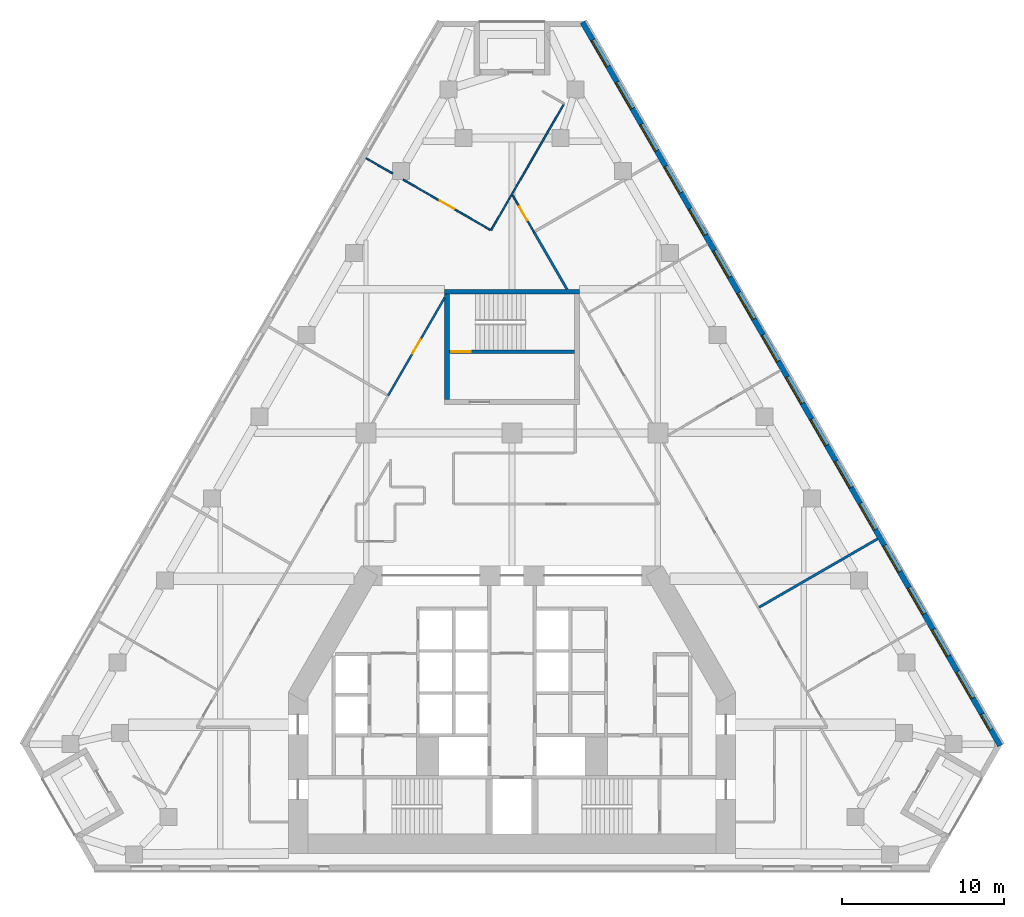
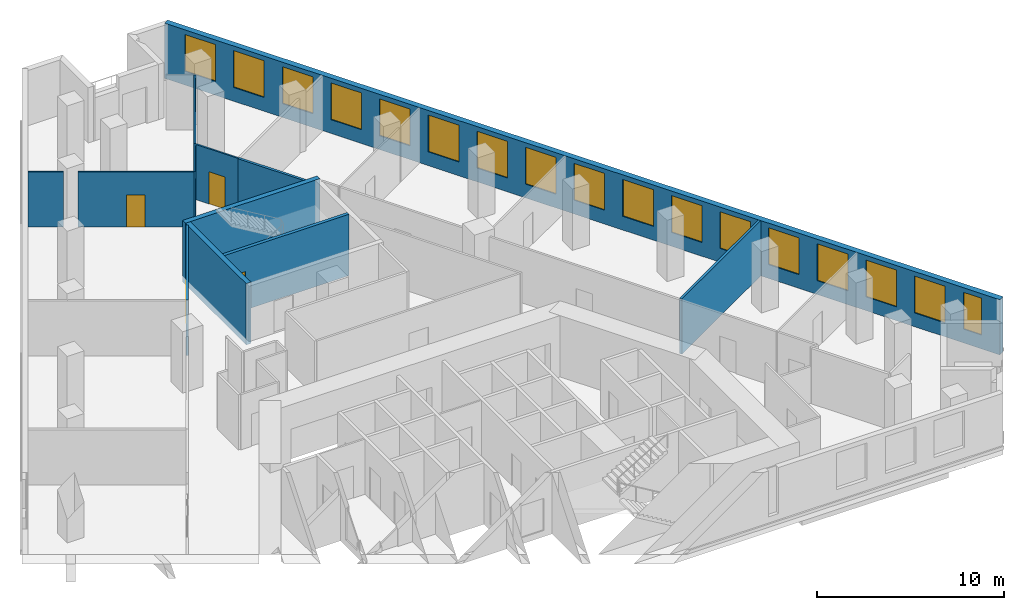
# One storey, part 8 of 10: 17 windows, 12 walls, 4 doors, 21 openings.
"""IFC4 building model written with IfcOpenShell, lengths in metres."""

from ifc_helpers import new_model, si_unit, direction, frame, frame_2d, origin, place, context, subcontext, project, spatial, rectangle, extrude, material, layer, layer_set, type_object, element, fill, save


model = new_model("IFC4")

# Units and contexts
model_context = context("Model", 3, precision=1e-05, world=origin(), true_north=direction((0.0, 1.0)))
body_context = subcontext(model_context, "Body", "Model", "MODEL_VIEW")
ifc_project = project(units=[si_unit("LENGTHUNIT", "METRE"), si_unit("AREAUNIT", "SQUARE_METRE"), si_unit("VOLUMEUNIT", "CUBIC_METRE"), si_unit("PLANEANGLEUNIT", "RADIAN"), si_unit("MASSUNIT", "GRAM", prefix="KILO")], contexts=[model_context])

# Site, building, storey
site_placement = place(None, origin())
site = spatial("IfcSite", under=ifc_project, at=site_placement, CompositionType="ELEMENT")
building_placement = place(site_placement, origin())
building = spatial("IfcBuilding", under=site, at=building_placement, Name="Fogline Exchange Tower", CompositionType="ELEMENT")
storey_placement = place(building_placement, frame((0.0, 0.0, 112.10009765625)))
storey = spatial("IfcBuildingStorey", under=building, at=storey_placement, Name="L24", CompositionType="ELEMENT", Elevation=112.10009765625)

# Wall, opening, door
ifc_material_1 = material(Name="Concrete C40", Category="concrete")
ifc_layer_1 = layer(ifc_material_1, 0.199951171875)
ifc_layer_set_1 = layer_set([ifc_layer_1], Name="CW20R")
wall_type_1 = type_object("IfcWallType", Name="CW20R", PredefinedType="SOLIDWALL", material=ifc_layer_set_1)
wall_1_placement = place(storey_placement, frame((-3.85009765625, 32.007080078125, -0.400146484375), z_axis=(0.0, 0.0, 1.0), x_axis=(1.0, 0.0, 0.0)))
wall_1 = element("IfcWall", 1, at=wall_1_placement, inside=storey, type_object=wall_type_1, Name="Stair enclosure wall ST3", PredefinedType="SOLIDWALL", context=body_context, shape_type="SweptSolid", body=[
    extrude(rectangle(XDim=7.7001953125, YDim=0.199951171875, at=frame_2d((3.85009765625, 0.0))), origin(), (0.0, 0.0, 1.0), 4.0),
])
opening_1_placement = place(wall_1_placement, frame((0.10009765625, 0.0, 0.39990234375)))
opening_1 = element("IfcOpeningElement", 2, at=opening_1_placement, cuts=wall_1, Name="Opening T07-C023", PredefinedType="OPENING", context=body_context, shape_type="SweptSolid", body=[
    extrude(rectangle(XDim=1.199951171875, YDim=2.10009765625, at=frame_2d((0.60009765625, 1.050048828125))), frame((0.0, 0.10986328125, 0.0), z_axis=(0.0, -1.0, 0.0), x_axis=(1.0, 0.0, 0.0)), (0.0, 0.0, 1.0), 0.219970703125),
])
ifc_material_2 = material(Name="Steel and timber fire door", Category="steel")
door_type_1 = type_object("IfcDoorType", Name="D-ST1", OperationType="SINGLE_SWING_LEFT", PredefinedType="DOOR", material=ifc_material_2)
door_1_placement = place(opening_1_placement, origin())
door_1 = element("IfcDoor", 3, at=door_1_placement, inside=storey, type_object=door_type_1, Name="Stair door ST3", OperationType="SINGLE_SWING_LEFT", OverallHeight=2.10009765625, OverallWidth=1.199951171875, PredefinedType="DOOR", context=body_context, shape_type="SweptSolid", body=[
    extrude(rectangle(XDim=1.199951171875, YDim=2.10009765625, at=frame_2d((0.60009765625, 1.050048828125))), frame((0.0, 0.02490234375, 0.0), z_axis=(0.0, -1.0, 0.0), x_axis=(1.0, 0.0, 0.0)), (0.0, 0.0, 1.0), 0.050048828125),
])
fill(opening_1, door_1)

# Walls
ifc_layer_2 = layer(ifc_material_1, 0.300048828125)
ifc_layer_set_2 = layer_set([ifc_layer_2], Name="CW30")
wall_type_2 = type_object("IfcWallType", Name="CW30", PredefinedType="SOLIDWALL", material=ifc_layer_set_2)
wall_2_placement = place(storey_placement, frame((-4.14990234375, 35.70703125, -0.400146484375), z_axis=(0.0, 0.0, 1.0), x_axis=(1.0, 0.0, 0.0)))
element("IfcWall", 4, at=wall_2_placement, inside=storey, type_object=wall_type_2, Name="Stair enclosure wall ST3", PredefinedType="SOLIDWALL", context=body_context, shape_type="SweptSolid", body=[
    extrude(rectangle(XDim=8.2998046875, YDim=0.300048828125, at=frame_2d((4.14990234375, 0.0))), origin(), (0.0, 0.0, 1.0), 4.0),
])
wall_3_placement = place(storey_placement, frame((-4.0, 29.056884765625, -0.400146484375), z_axis=(0.0, 0.0, 1.0), x_axis=(0.0, 1.0, 0.0)))
element("IfcWall", 5, at=wall_3_placement, inside=storey, type_object=wall_type_2, Name="Stair enclosure wall ST3", PredefinedType="SOLIDWALL", context=body_context, shape_type="SweptSolid", body=[
    extrude(rectangle(XDim=6.5, YDim=0.300048828125, at=frame_2d((3.25, 0.0))), origin(), (0.0, 0.0, 1.0), 4.0),
])

# Wall, openings, windows
ifc_material_3 = material(Name="Brick masonry", Category="masonry")
ifc_layer_3 = layer(ifc_material_3, 0.340087890625)
ifc_layer_set_3 = layer_set([ifc_layer_3], Name="FW1")
wall_type_3 = type_object("IfcWallType", Name="FW1", PredefinedType="SOLIDWALL", material=ifc_layer_set_3)
wall_4_placement = place(storey_placement, frame((30.118408203125, 7.709228515625, 0.0), z_axis=(0.0, 0.0, 1.0), x_axis=(-0.49999941333, 0.866025742498, 0.0)))
wall_4 = element("IfcWall", 6, at=wall_4_placement, inside=storey, type_object=wall_type_3, Name="Brick wall L24 E", PredefinedType="SOLIDWALL", context=body_context, shape_type="SweptSolid", body=[
    extrude(rectangle(XDim=51.53125, YDim=0.340087890625, at=frame_2d((25.765625, 0.0))), origin(), (0.0, 0.0, 1.0), 3.599853515625),
])
opening_2_placement = place(wall_4_placement, frame((3.3828125, 0.0, 0.89990234375)))
opening_2 = element("IfcOpeningElement", 7, at=opening_2_placement, cuts=wall_4, Name="Opening W1", PredefinedType="OPENING", context=body_context, shape_type="SweptSolid", body=[
    extrude(rectangle(XDim=1.885009765625, YDim=2.39990234375, at=frame_2d((0.9423828125, 1.199951171875))), frame((0.0, 0.18017578125, 0.0), z_axis=(0.0, -1.0, 0.0), x_axis=(1.0, 0.0, 0.0)), (0.0, 0.0, 1.0), 0.360107421875),
])
opening_3_placement = place(wall_4_placement, frame((6.3828125, 0.0, 0.89990234375)))
opening_3 = element("IfcOpeningElement", 8, at=opening_3_placement, cuts=wall_4, Name="Opening W1", PredefinedType="OPENING", context=body_context, shape_type="SweptSolid", body=[
    extrude(rectangle(XDim=1.885009765625, YDim=2.39990234375, at=frame_2d((0.9423828125, 1.199951171875))), frame((0.0, 0.18017578125, 0.0), z_axis=(0.0, -1.0, 0.0), x_axis=(1.0, 0.0, 0.0)), (0.0, 0.0, 1.0), 0.360107421875),
])
opening_4_placement = place(wall_4_placement, frame((9.3828125, 0.0, 0.89990234375)))
opening_4 = element("IfcOpeningElement", 9, at=opening_4_placement, cuts=wall_4, Name="Opening W1", PredefinedType="OPENING", context=body_context, shape_type="SweptSolid", body=[
    extrude(rectangle(XDim=1.885009765625, YDim=2.39990234375, at=frame_2d((0.9423828125, 1.199951171875))), frame((0.0, 0.18017578125, 0.0), z_axis=(0.0, -1.0, 0.0), x_axis=(1.0, 0.0, 0.0)), (0.0, 0.0, 1.0), 0.360107421875),
])
opening_5_placement = place(wall_4_placement, frame((12.3828125, 0.0, 0.89990234375)))
opening_5 = element("IfcOpeningElement", 10, at=opening_5_placement, cuts=wall_4, Name="Opening W1", PredefinedType="OPENING", context=body_context, shape_type="SweptSolid", body=[
    extrude(rectangle(XDim=1.885009765625, YDim=2.39990234375, at=frame_2d((0.9423828125, 1.199951171875))), frame((0.0, 0.18017578125, 0.0), z_axis=(0.0, -1.0, 0.0), x_axis=(1.0, 0.0, 0.0)), (0.0, 0.0, 1.0), 0.360107421875),
])
opening_6_placement = place(wall_4_placement, frame((15.3828125, 0.0, 0.89990234375)))
opening_6 = element("IfcOpeningElement", 11, at=opening_6_placement, cuts=wall_4, Name="Opening W1", PredefinedType="OPENING", context=body_context, shape_type="SweptSolid", body=[
    extrude(rectangle(XDim=1.885009765625, YDim=2.39990234375, at=frame_2d((0.9423828125, 1.199951171875))), frame((0.0, 0.18017578125, 0.0), z_axis=(0.0, -1.0, 0.0), x_axis=(1.0, 0.0, 0.0)), (0.0, 0.0, 1.0), 0.360107421875),
])
opening_7_placement = place(wall_4_placement, frame((18.3828125, 0.0, 0.89990234375)))
opening_7 = element("IfcOpeningElement", 12, at=opening_7_placement, cuts=wall_4, Name="Opening W1", PredefinedType="OPENING", context=body_context, shape_type="SweptSolid", body=[
    extrude(rectangle(XDim=1.885009765625, YDim=2.39990234375, at=frame_2d((0.9423828125, 1.199951171875))), frame((0.0, 0.18017578125, 0.0), z_axis=(0.0, -1.0, 0.0), x_axis=(1.0, 0.0, 0.0)), (0.0, 0.0, 1.0), 0.360107421875),
])
opening_8_placement = place(wall_4_placement, frame((21.3828125, 0.0, 0.89990234375)))
opening_8 = element("IfcOpeningElement", 13, at=opening_8_placement, cuts=wall_4, Name="Opening W1", PredefinedType="OPENING", context=body_context, shape_type="SweptSolid", body=[
    extrude(rectangle(XDim=1.885009765625, YDim=2.39990234375, at=frame_2d((0.9423828125, 1.199951171875))), frame((0.0, 0.18017578125, 0.0), z_axis=(0.0, -1.0, 0.0), x_axis=(1.0, 0.0, 0.0)), (0.0, 0.0, 1.0), 0.360107421875),
])
opening_9_placement = place(wall_4_placement, frame((24.3828125, 0.0, 0.89990234375)))
opening_9 = element("IfcOpeningElement", 14, at=opening_9_placement, cuts=wall_4, Name="Opening W1", PredefinedType="OPENING", context=body_context, shape_type="SweptSolid", body=[
    extrude(rectangle(XDim=1.885009765625, YDim=2.39990234375, at=frame_2d((0.9423828125, 1.199951171875))), frame((0.0, 0.18017578125, 0.0), z_axis=(0.0, -1.0, 0.0), x_axis=(1.0, 0.0, 0.0)), (0.0, 0.0, 1.0), 0.360107421875),
])
opening_10_placement = place(wall_4_placement, frame((27.3828125, 0.0, 0.89990234375)))
opening_10 = element("IfcOpeningElement", 15, at=opening_10_placement, cuts=wall_4, Name="Opening W1", PredefinedType="OPENING", context=body_context, shape_type="SweptSolid", body=[
    extrude(rectangle(XDim=1.885009765625, YDim=2.39990234375, at=frame_2d((0.9423828125, 1.199951171875))), frame((0.0, 0.18017578125, 0.0), z_axis=(0.0, -1.0, 0.0), x_axis=(1.0, 0.0, 0.0)), (0.0, 0.0, 1.0), 0.360107421875),
])
opening_11_placement = place(wall_4_placement, frame((30.3828125, 0.0, 0.89990234375)))
opening_11 = element("IfcOpeningElement", 16, at=opening_11_placement, cuts=wall_4, Name="Opening W1", PredefinedType="OPENING", context=body_context, shape_type="SweptSolid", body=[
    extrude(rectangle(XDim=1.885009765625, YDim=2.39990234375, at=frame_2d((0.9423828125, 1.199951171875))), frame((0.0, 0.18017578125, 0.0), z_axis=(0.0, -1.0, 0.0), x_axis=(1.0, 0.0, 0.0)), (0.0, 0.0, 1.0), 0.360107421875),
])
opening_12_placement = place(wall_4_placement, frame((33.3828125, 0.0, 0.89990234375)))
opening_12 = element("IfcOpeningElement", 17, at=opening_12_placement, cuts=wall_4, Name="Opening W1", PredefinedType="OPENING", context=body_context, shape_type="SweptSolid", body=[
    extrude(rectangle(XDim=1.885009765625, YDim=2.39990234375, at=frame_2d((0.9423828125, 1.199951171875))), frame((0.0, 0.18017578125, 0.0), z_axis=(0.0, -1.0, 0.0), x_axis=(1.0, 0.0, 0.0)), (0.0, 0.0, 1.0), 0.360107421875),
])
opening_13_placement = place(wall_4_placement, frame((36.3828125, 0.0, 0.89990234375)))
opening_13 = element("IfcOpeningElement", 18, at=opening_13_placement, cuts=wall_4, Name="Opening W1", PredefinedType="OPENING", context=body_context, shape_type="SweptSolid", body=[
    extrude(rectangle(XDim=1.885009765625, YDim=2.39990234375, at=frame_2d((0.9423828125, 1.199951171875))), frame((0.0, 0.18017578125, 0.0), z_axis=(0.0, -1.0, 0.0), x_axis=(1.0, 0.0, 0.0)), (0.0, 0.0, 1.0), 0.360107421875),
])
opening_14_placement = place(wall_4_placement, frame((39.3828125, 0.0, 0.89990234375)))
opening_14 = element("IfcOpeningElement", 19, at=opening_14_placement, cuts=wall_4, Name="Opening W1", PredefinedType="OPENING", context=body_context, shape_type="SweptSolid", body=[
    extrude(rectangle(XDim=1.885009765625, YDim=2.39990234375, at=frame_2d((0.9423828125, 1.199951171875))), frame((0.0, 0.18017578125, 0.0), z_axis=(0.0, -1.0, 0.0), x_axis=(1.0, 0.0, 0.0)), (0.0, 0.0, 1.0), 0.360107421875),
])
opening_15_placement = place(wall_4_placement, frame((42.3828125, 0.0, 0.89990234375)))
opening_15 = element("IfcOpeningElement", 20, at=opening_15_placement, cuts=wall_4, Name="Opening W1", PredefinedType="OPENING", context=body_context, shape_type="SweptSolid", body=[
    extrude(rectangle(XDim=1.885009765625, YDim=2.39990234375, at=frame_2d((0.9423828125, 1.199951171875))), frame((0.0, 0.18017578125, 0.0), z_axis=(0.0, -1.0, 0.0), x_axis=(1.0, 0.0, 0.0)), (0.0, 0.0, 1.0), 0.360107421875),
])
opening_16_placement = place(wall_4_placement, frame((45.3828125, 0.0, 0.89990234375)))
opening_16 = element("IfcOpeningElement", 21, at=opening_16_placement, cuts=wall_4, Name="Opening W1", PredefinedType="OPENING", context=body_context, shape_type="SweptSolid", body=[
    extrude(rectangle(XDim=1.885009765625, YDim=2.39990234375, at=frame_2d((0.9423828125, 1.199951171875))), frame((0.0, 0.18017578125, 0.0), z_axis=(0.0, -1.0, 0.0), x_axis=(1.0, 0.0, 0.0)), (0.0, 0.0, 1.0), 0.360107421875),
])
opening_17_placement = place(wall_4_placement, frame((48.3828125, 0.0, 0.89990234375)))
opening_17 = element("IfcOpeningElement", 22, at=opening_17_placement, cuts=wall_4, Name="Opening W1", PredefinedType="OPENING", context=body_context, shape_type="SweptSolid", body=[
    extrude(rectangle(XDim=1.885009765625, YDim=2.39990234375, at=frame_2d((0.9423828125, 1.199951171875))), frame((0.0, 0.18017578125, 0.0), z_axis=(0.0, -1.0, 0.0), x_axis=(1.0, 0.0, 0.0)), (0.0, 0.0, 1.0), 0.360107421875),
])
opening_18_placement = place(wall_4_placement, frame((1.1337890625, 0.0, 0.89990234375)))
opening_18 = element("IfcOpeningElement", 23, at=opening_18_placement, cuts=wall_4, Name="Opening W4", PredefinedType="OPENING", context=body_context, shape_type="SweptSolid", body=[
    extrude(rectangle(XDim=1.114990234375, YDim=2.39990234375, at=frame_2d((0.5576171875, 1.199951171875))), frame((0.0, 0.18017578125, 0.0), z_axis=(0.0, -1.0, 0.0), x_axis=(1.0, 0.0, 0.0)), (0.0, 0.0, 1.0), 0.360107421875),
])
ifc_material_4 = material(Name="Aluminium and glass", Category="aluminium")
window_type_1 = type_object("IfcWindowType", Name="W1", PartitioningType="SINGLE_PANEL", PredefinedType="WINDOW", material=ifc_material_4)
window_1_placement = place(opening_2_placement, origin())
window_1 = element("IfcWindow", 24, at=window_1_placement, inside=storey, type_object=window_type_1, Name="W1 W1", OverallHeight=2.39990234375, OverallWidth=1.885009765625, PartitioningType="SINGLE_PANEL", PredefinedType="WINDOW", context=body_context, shape_type="SweptSolid", body=[
    extrude(rectangle(XDim=1.885009765625, YDim=2.39990234375, at=frame_2d((0.9423828125, 1.199951171875))), frame((0.0, 0.110107421875, 0.0), z_axis=(0.0, -1.0, 0.0), x_axis=(1.0, 0.0, 0.0)), (0.0, 0.0, 1.0), 0.06005859375),
])
fill(opening_2, window_1)
window_2_placement = place(opening_3_placement, origin())
window_2 = element("IfcWindow", 25, at=window_2_placement, inside=storey, type_object=window_type_1, Name="W1 W1", OverallHeight=2.39990234375, OverallWidth=1.885009765625, PartitioningType="SINGLE_PANEL", PredefinedType="WINDOW", context=body_context, shape_type="SweptSolid", body=[
    extrude(rectangle(XDim=1.885009765625, YDim=2.39990234375, at=frame_2d((0.9423828125, 1.199951171875))), frame((0.0, 0.110107421875, 0.0), z_axis=(0.0, -1.0, 0.0), x_axis=(1.0, 0.0, 0.0)), (0.0, 0.0, 1.0), 0.06005859375),
])
fill(opening_3, window_2)
window_3_placement = place(opening_4_placement, origin())
window_3 = element("IfcWindow", 26, at=window_3_placement, inside=storey, type_object=window_type_1, Name="W1 W1", OverallHeight=2.39990234375, OverallWidth=1.885009765625, PartitioningType="SINGLE_PANEL", PredefinedType="WINDOW", context=body_context, shape_type="SweptSolid", body=[
    extrude(rectangle(XDim=1.885009765625, YDim=2.39990234375, at=frame_2d((0.9423828125, 1.199951171875))), frame((0.0, 0.110107421875, 0.0), z_axis=(0.0, -1.0, 0.0), x_axis=(1.0, 0.0, 0.0)), (0.0, 0.0, 1.0), 0.06005859375),
])
fill(opening_4, window_3)
window_4_placement = place(opening_5_placement, origin())
window_4 = element("IfcWindow", 27, at=window_4_placement, inside=storey, type_object=window_type_1, Name="W1 W1", OverallHeight=2.39990234375, OverallWidth=1.885009765625, PartitioningType="SINGLE_PANEL", PredefinedType="WINDOW", context=body_context, shape_type="SweptSolid", body=[
    extrude(rectangle(XDim=1.885009765625, YDim=2.39990234375, at=frame_2d((0.9423828125, 1.199951171875))), frame((0.0, 0.110107421875, 0.0), z_axis=(0.0, -1.0, 0.0), x_axis=(1.0, 0.0, 0.0)), (0.0, 0.0, 1.0), 0.06005859375),
])
fill(opening_5, window_4)
window_5_placement = place(opening_6_placement, origin())
window_5 = element("IfcWindow", 28, at=window_5_placement, inside=storey, type_object=window_type_1, Name="W1 W1", OverallHeight=2.39990234375, OverallWidth=1.885009765625, PartitioningType="SINGLE_PANEL", PredefinedType="WINDOW", context=body_context, shape_type="SweptSolid", body=[
    extrude(rectangle(XDim=1.885009765625, YDim=2.39990234375, at=frame_2d((0.9423828125, 1.199951171875))), frame((0.0, 0.110107421875, 0.0), z_axis=(0.0, -1.0, 0.0), x_axis=(1.0, 0.0, 0.0)), (0.0, 0.0, 1.0), 0.06005859375),
])
fill(opening_6, window_5)
window_6_placement = place(opening_7_placement, origin())
window_6 = element("IfcWindow", 29, at=window_6_placement, inside=storey, type_object=window_type_1, Name="W1 W1", OverallHeight=2.39990234375, OverallWidth=1.885009765625, PartitioningType="SINGLE_PANEL", PredefinedType="WINDOW", context=body_context, shape_type="SweptSolid", body=[
    extrude(rectangle(XDim=1.885009765625, YDim=2.39990234375, at=frame_2d((0.9423828125, 1.199951171875))), frame((0.0, 0.110107421875, 0.0), z_axis=(0.0, -1.0, 0.0), x_axis=(1.0, 0.0, 0.0)), (0.0, 0.0, 1.0), 0.06005859375),
])
fill(opening_7, window_6)
window_7_placement = place(opening_8_placement, origin())
window_7 = element("IfcWindow", 30, at=window_7_placement, inside=storey, type_object=window_type_1, Name="W1 W1", OverallHeight=2.39990234375, OverallWidth=1.885009765625, PartitioningType="SINGLE_PANEL", PredefinedType="WINDOW", context=body_context, shape_type="SweptSolid", body=[
    extrude(rectangle(XDim=1.885009765625, YDim=2.39990234375, at=frame_2d((0.9423828125, 1.199951171875))), frame((0.0, 0.110107421875, 0.0), z_axis=(0.0, -1.0, 0.0), x_axis=(1.0, 0.0, 0.0)), (0.0, 0.0, 1.0), 0.06005859375),
])
fill(opening_8, window_7)
window_8_placement = place(opening_9_placement, origin())
window_8 = element("IfcWindow", 31, at=window_8_placement, inside=storey, type_object=window_type_1, Name="W1 W1", OverallHeight=2.39990234375, OverallWidth=1.885009765625, PartitioningType="SINGLE_PANEL", PredefinedType="WINDOW", context=body_context, shape_type="SweptSolid", body=[
    extrude(rectangle(XDim=1.885009765625, YDim=2.39990234375, at=frame_2d((0.9423828125, 1.199951171875))), frame((0.0, 0.110107421875, 0.0), z_axis=(0.0, -1.0, 0.0), x_axis=(1.0, 0.0, 0.0)), (0.0, 0.0, 1.0), 0.06005859375),
])
fill(opening_9, window_8)
window_9_placement = place(opening_10_placement, origin())
window_9 = element("IfcWindow", 32, at=window_9_placement, inside=storey, type_object=window_type_1, Name="W1 W1", OverallHeight=2.39990234375, OverallWidth=1.885009765625, PartitioningType="SINGLE_PANEL", PredefinedType="WINDOW", context=body_context, shape_type="SweptSolid", body=[
    extrude(rectangle(XDim=1.885009765625, YDim=2.39990234375, at=frame_2d((0.9423828125, 1.199951171875))), frame((0.0, 0.110107421875, 0.0), z_axis=(0.0, -1.0, 0.0), x_axis=(1.0, 0.0, 0.0)), (0.0, 0.0, 1.0), 0.06005859375),
])
fill(opening_10, window_9)
window_10_placement = place(opening_11_placement, origin())
window_10 = element("IfcWindow", 33, at=window_10_placement, inside=storey, type_object=window_type_1, Name="W1 W1", OverallHeight=2.39990234375, OverallWidth=1.885009765625, PartitioningType="SINGLE_PANEL", PredefinedType="WINDOW", context=body_context, shape_type="SweptSolid", body=[
    extrude(rectangle(XDim=1.885009765625, YDim=2.39990234375, at=frame_2d((0.9423828125, 1.199951171875))), frame((0.0, 0.110107421875, 0.0), z_axis=(0.0, -1.0, 0.0), x_axis=(1.0, 0.0, 0.0)), (0.0, 0.0, 1.0), 0.06005859375),
])
fill(opening_11, window_10)
window_11_placement = place(opening_12_placement, origin())
window_11 = element("IfcWindow", 34, at=window_11_placement, inside=storey, type_object=window_type_1, Name="W1 W1", OverallHeight=2.39990234375, OverallWidth=1.885009765625, PartitioningType="SINGLE_PANEL", PredefinedType="WINDOW", context=body_context, shape_type="SweptSolid", body=[
    extrude(rectangle(XDim=1.885009765625, YDim=2.39990234375, at=frame_2d((0.9423828125, 1.199951171875))), frame((0.0, 0.110107421875, 0.0), z_axis=(0.0, -1.0, 0.0), x_axis=(1.0, 0.0, 0.0)), (0.0, 0.0, 1.0), 0.06005859375),
])
fill(opening_12, window_11)
window_12_placement = place(opening_13_placement, origin())
window_12 = element("IfcWindow", 35, at=window_12_placement, inside=storey, type_object=window_type_1, Name="W1 W1", OverallHeight=2.39990234375, OverallWidth=1.885009765625, PartitioningType="SINGLE_PANEL", PredefinedType="WINDOW", context=body_context, shape_type="SweptSolid", body=[
    extrude(rectangle(XDim=1.885009765625, YDim=2.39990234375, at=frame_2d((0.9423828125, 1.199951171875))), frame((0.0, 0.110107421875, 0.0), z_axis=(0.0, -1.0, 0.0), x_axis=(1.0, 0.0, 0.0)), (0.0, 0.0, 1.0), 0.06005859375),
])
fill(opening_13, window_12)
window_13_placement = place(opening_14_placement, origin())
window_13 = element("IfcWindow", 36, at=window_13_placement, inside=storey, type_object=window_type_1, Name="W1 W1", OverallHeight=2.39990234375, OverallWidth=1.885009765625, PartitioningType="SINGLE_PANEL", PredefinedType="WINDOW", context=body_context, shape_type="SweptSolid", body=[
    extrude(rectangle(XDim=1.885009765625, YDim=2.39990234375, at=frame_2d((0.9423828125, 1.199951171875))), frame((0.0, 0.110107421875, 0.0), z_axis=(0.0, -1.0, 0.0), x_axis=(1.0, 0.0, 0.0)), (0.0, 0.0, 1.0), 0.06005859375),
])
fill(opening_14, window_13)
window_14_placement = place(opening_15_placement, origin())
window_14 = element("IfcWindow", 37, at=window_14_placement, inside=storey, type_object=window_type_1, Name="W1 W1", OverallHeight=2.39990234375, OverallWidth=1.885009765625, PartitioningType="SINGLE_PANEL", PredefinedType="WINDOW", context=body_context, shape_type="SweptSolid", body=[
    extrude(rectangle(XDim=1.885009765625, YDim=2.39990234375, at=frame_2d((0.9423828125, 1.199951171875))), frame((0.0, 0.110107421875, 0.0), z_axis=(0.0, -1.0, 0.0), x_axis=(1.0, 0.0, 0.0)), (0.0, 0.0, 1.0), 0.06005859375),
])
fill(opening_15, window_14)
window_15_placement = place(opening_16_placement, origin())
window_15 = element("IfcWindow", 38, at=window_15_placement, inside=storey, type_object=window_type_1, Name="W1 W1", OverallHeight=2.39990234375, OverallWidth=1.885009765625, PartitioningType="SINGLE_PANEL", PredefinedType="WINDOW", context=body_context, shape_type="SweptSolid", body=[
    extrude(rectangle(XDim=1.885009765625, YDim=2.39990234375, at=frame_2d((0.9423828125, 1.199951171875))), frame((0.0, 0.110107421875, 0.0), z_axis=(0.0, -1.0, 0.0), x_axis=(1.0, 0.0, 0.0)), (0.0, 0.0, 1.0), 0.06005859375),
])
fill(opening_16, window_15)
window_16_placement = place(opening_17_placement, origin())
window_16 = element("IfcWindow", 39, at=window_16_placement, inside=storey, type_object=window_type_1, Name="W1 W1", OverallHeight=2.39990234375, OverallWidth=1.885009765625, PartitioningType="SINGLE_PANEL", PredefinedType="WINDOW", context=body_context, shape_type="SweptSolid", body=[
    extrude(rectangle(XDim=1.885009765625, YDim=2.39990234375, at=frame_2d((0.9423828125, 1.199951171875))), frame((0.0, 0.110107421875, 0.0), z_axis=(0.0, -1.0, 0.0), x_axis=(1.0, 0.0, 0.0)), (0.0, 0.0, 1.0), 0.06005859375),
])
fill(opening_17, window_16)
window_type_2 = type_object("IfcWindowType", Name="W4", PartitioningType="SINGLE_PANEL", PredefinedType="WINDOW", material=ifc_material_4)
window_17_placement = place(opening_18_placement, origin())
window_17 = element("IfcWindow", 40, at=window_17_placement, inside=storey, type_object=window_type_2, Name="W4 W4", OverallHeight=2.39990234375, OverallWidth=1.114990234375, PartitioningType="SINGLE_PANEL", PredefinedType="WINDOW", context=body_context, shape_type="SweptSolid", body=[
    extrude(rectangle(XDim=1.114990234375, YDim=2.39990234375, at=frame_2d((0.5576171875, 1.199951171875))), frame((0.0, 0.110107421875, 0.0), z_axis=(0.0, -1.0, 0.0), x_axis=(1.0, 0.0, 0.0)), (0.0, 0.0, 1.0), 0.06005859375),
])
fill(opening_18, window_17)

# Wall
ifc_material_5 = material(Name="Plasterboard partition, 2 layers each side on steel studs", Category="steel")
ifc_layer_4 = layer(ifc_material_5, 0.10009765625)
ifc_layer_set_4 = layer_set([ifc_layer_4], Name="PW1")
wall_type_4 = type_object("IfcWallType", Name="PW1", PredefinedType="PARTITIONING", material=ifc_layer_set_4)
wall_5_placement = place(storey_placement, frame((0.0, 41.73583984375, 0.0), z_axis=(0.0, 0.0, 1.0), x_axis=(0.499999599858, 0.866025634807, 0.0)))
element("IfcWall", 41, at=wall_5_placement, inside=storey, type_object=wall_type_4, Name="wall-L24-W040", PredefinedType="PARTITIONING", context=body_context, shape_type="SweptSolid", body=[
    extrude(rectangle(XDim=6.3798828125, YDim=0.10009765625, at=frame_2d((3.18994140625, 0.0))), origin(), (0.0, 0.0, 1.0), 3.599853515625),
])

# Wall, opening, door
wall_6_placement = place(storey_placement, frame((1.350830078125, 39.39599609375, 0.0), z_axis=(0.0, 0.0, 1.0), x_axis=(-0.500005339912, 0.866022320763, 0.0)))
wall_6 = element("IfcWall", 42, at=wall_6_placement, inside=storey, type_object=wall_type_4, Name="wall-L24-W042", PredefinedType="PARTITIONING", context=body_context, shape_type="SweptSolid", body=[
    extrude(rectangle(XDim=2.61474609375, YDim=0.10009765625, at=frame_2d((1.307373046875, 0.0))), origin(), (0.0, 0.0, 1.0), 3.599853515625),
])
opening_19_placement = place(wall_6_placement, frame((0.807373046875, 0.0, 0.0)))
opening_19 = element("IfcOpeningElement", 43, at=opening_19_placement, cuts=wall_6, Name="Opening T07-D015", PredefinedType="OPENING", context=body_context, shape_type="SweptSolid", body=[
    extrude(rectangle(XDim=1.0, YDim=2.10009765625, at=frame_2d((0.5, 1.050048828125))), frame((0.0, 0.06005859375, 0.0), z_axis=(0.0, -1.0, 0.0), x_axis=(1.0, 0.0, 0.0)), (0.0, 0.0, 1.0), 0.1201171875),
])
ifc_material_6 = material(Name="Timber door leaf with steel frame", Category="steel")
door_type_2 = type_object("IfcDoorType", Name="D1", OperationType="SINGLE_SWING_LEFT", PredefinedType="DOOR", material=ifc_material_6)
door_2_placement = place(opening_19_placement, frame((1.0, 0.0, 0.0), z_axis=(0.0, 0.0, 1.0), x_axis=(-1.0, 0.0, 0.0)))
door_2 = element("IfcDoor", 44, at=door_2_placement, inside=storey, type_object=door_type_2, Name="door-L24-D015", OperationType="SINGLE_SWING_LEFT", OverallHeight=2.10009765625, OverallWidth=1.0, PredefinedType="DOOR", context=body_context, shape_type="SweptSolid", body=[
    extrude(rectangle(XDim=1.0, YDim=2.10009765625, at=frame_2d((0.5, 1.050048828125))), frame((0.0, 0.02490234375, 0.0), z_axis=(0.0, -1.0, 0.0), x_axis=(1.0, 0.0, 0.0)), (0.0, 0.0, 1.0), 0.050048828125),
])
fill(opening_19, door_2)

# Wall
wall_7_placement = place(storey_placement, frame((0.0, 41.73583984375, 0.0), z_axis=(0.0, 0.0, 1.0), x_axis=(-0.50001655835, -0.866015843605, 0.0)))
element("IfcWall", 45, at=wall_7_placement, inside=storey, type_object=wall_type_4, Name="wall-L24-W043", PredefinedType="PARTITIONING", context=body_context, shape_type="SweptSolid", body=[
    extrude(rectangle(XDim=2.5869140625, YDim=0.10009765625, at=frame_2d((1.29345703125, 0.0))), origin(), (0.0, 0.0, 1.0), 3.599853515625),
])

# Wall, opening, door
wall_8_placement = place(storey_placement, frame((-1.336669921875, 39.5205078125, 0.0), z_axis=(0.0, 0.0, 1.0), x_axis=(-0.866017753424, 0.500013250579, 0.0)))
wall_8 = element("IfcWall", 46, at=wall_8_placement, inside=storey, type_object=wall_type_4, Name="wall-L24-W044", PredefinedType="PARTITIONING", context=body_context, shape_type="SweptSolid", body=[
    extrude(rectangle(XDim=6.201416015625, YDim=0.10009765625, at=frame_2d((3.1005859375, 0.0))), origin(), (0.0, 0.0, 1.0), 3.599853515625),
])
opening_20_placement = place(wall_8_placement, frame((2.6005859375, 0.0, 0.0)))
opening_20 = element("IfcOpeningElement", 47, at=opening_20_placement, cuts=wall_8, Name="Opening T07-D016", PredefinedType="OPENING", context=body_context, shape_type="SweptSolid", body=[
    extrude(rectangle(XDim=1.0, YDim=2.10009765625, at=frame_2d((0.5, 1.050048828125))), frame((0.0, 0.06005859375, 0.0), z_axis=(0.0, -1.0, 0.0), x_axis=(1.0, 0.0, 0.0)), (0.0, 0.0, 1.0), 0.1201171875),
])
door_3_placement = place(opening_20_placement, frame((1.0, 0.0, 0.0), z_axis=(0.0, 0.0, 1.0), x_axis=(-1.0, 0.0, 0.0)))
door_3 = element("IfcDoor", 48, at=door_3_placement, inside=storey, type_object=door_type_2, Name="door-L24-D016", OperationType="SINGLE_SWING_RIGHT", OverallHeight=2.10009765625, OverallWidth=1.0, PredefinedType="DOOR", context=body_context, shape_type="SweptSolid", body=[
    extrude(rectangle(XDim=1.0, YDim=2.10009765625, at=frame_2d((0.5, 1.050048828125))), frame((0.0, 0.02490234375, 0.0), z_axis=(0.0, -1.0, 0.0), x_axis=(1.0, 0.0, 0.0)), (0.0, 0.0, 1.0), 0.050048828125),
])
fill(opening_20, door_3)

# Wall
wall_9_placement = place(storey_placement, frame((-7.36328125, 43.000244140625, 0.0), z_axis=(0.0, 0.0, 1.0), x_axis=(-0.866073792734, 0.499916178513, 0.0)))
element("IfcWall", 49, at=wall_9_placement, inside=storey, type_object=wall_type_4, Name="wall-L24-W045", PredefinedType="PARTITIONING", context=body_context, shape_type="SweptSolid", body=[
    extrude(rectangle(XDim=1.890869140625, YDim=0.10009765625, at=frame_2d((0.9453125, 0.0))), origin(), (0.0, 0.0, 1.0), 3.599853515625),
])

# Wall, opening, door
ifc_material_7 = material(Name="Plasterboard corridor partition with mineral wool, 2 layers each side")
ifc_layer_5 = layer(ifc_material_7, 0.125)
ifc_layer_set_5 = layer_set([ifc_layer_5], Name="PW2")
wall_type_5 = type_object("IfcWallType", Name="PW2", PredefinedType="PARTITIONING", material=ifc_layer_set_5)
wall_10_placement = place(storey_placement, frame((-7.639892578125, 29.30322265625, 0.0), z_axis=(0.0, 0.0, 1.0), x_axis=(0.500010091595, 0.866019577321, 0.0)))
wall_10 = element("IfcWall", 50, at=wall_10_placement, inside=storey, type_object=wall_type_5, Name="wall-L24-W010", PredefinedType="PARTITIONING", context=body_context, shape_type="SweptSolid", body=[
    extrude(rectangle(XDim=6.979736328125, YDim=0.125, at=frame_2d((3.48974609375, 0.0))), origin(), (0.0, 0.0, 1.0), 3.599853515625),
])
opening_21_placement = place(wall_10_placement, frame((2.98974609375, 0.0, 0.0)))
opening_21 = element("IfcOpeningElement", 51, at=opening_21_placement, cuts=wall_10, Name="Opening T07-D005", PredefinedType="OPENING", context=body_context, shape_type="SweptSolid", body=[
    extrude(rectangle(XDim=1.0, YDim=2.10009765625, at=frame_2d((0.5, 1.050048828125))), frame((0.0, 0.072509765625, 0.0), z_axis=(0.0, -1.0, 0.0), x_axis=(1.0, 0.0, 0.0)), (0.0, 0.0, 1.0), 0.14501953125),
])
ifc_material_8 = material(Name="Fire-rated timber door leaf with steel frame", Category="steel")
door_type_3 = type_object("IfcDoorType", Name="D3", OperationType="SINGLE_SWING_LEFT", PredefinedType="DOOR", material=ifc_material_8)
door_4_placement = place(opening_21_placement, origin())
door_4 = element("IfcDoor", 52, at=door_4_placement, inside=storey, type_object=door_type_3, Name="door-L24-D005", OperationType="SINGLE_SWING_LEFT", OverallHeight=2.10009765625, OverallWidth=1.0, PredefinedType="DOOR", context=body_context, shape_type="SweptSolid", body=[
    extrude(rectangle(XDim=1.0, YDim=2.10009765625, at=frame_2d((0.5, 1.050048828125))), frame((0.0, 0.02490234375, 0.0), z_axis=(0.0, -1.0, 0.0), x_axis=(1.0, 0.0, 0.0)), (0.0, 0.0, 1.0), 0.050048828125),
])
fill(opening_21, door_4)

# Walls
ifc_material_9 = material(Name="Plasterboard demising partition with mineral wool and acoustic board")
ifc_layer_6 = layer(ifc_material_9, 0.14990234375)
ifc_layer_set_6 = layer_set([ifc_layer_6], Name="PW3")
wall_type_6 = type_object("IfcWallType", Name="PW3", PredefinedType="PARTITIONING", material=ifc_layer_set_6)
wall_11_placement = place(storey_placement, frame((22.55859375, 20.46337890625, 0.0), z_axis=(0.0, 0.0, 1.0), x_axis=(-0.866026575979, -0.499997969693, 0.0)))
element("IfcWall", 53, at=wall_11_placement, inside=storey, type_object=wall_type_6, Name="wall-L24-W034", PredefinedType="PARTITIONING", context=body_context, shape_type="SweptSolid", body=[
    extrude(rectangle(XDim=8.4375, YDim=0.14990234375, at=frame_2d((4.21875, 0.0))), origin(), (0.0, 0.0, 1.0), 3.599853515625),
])
wall_12_placement = place(storey_placement, frame((3.394287109375, 35.85693359375, 0.0), z_axis=(0.0, 0.0, 1.0), x_axis=(-0.500032730183, 0.86600650618, 0.0)))
element("IfcWall", 54, at=wall_12_placement, inside=storey, type_object=wall_type_6, Name="wall-L24-W039", PredefinedType="PARTITIONING", context=body_context, shape_type="SweptSolid", body=[
    extrude(rectangle(XDim=4.086669921875, YDim=0.14990234375, at=frame_2d((2.04345703125, 0.0))), origin(), (0.0, 0.0, 1.0), 3.599853515625),
])

save(model, "model.ifc")
